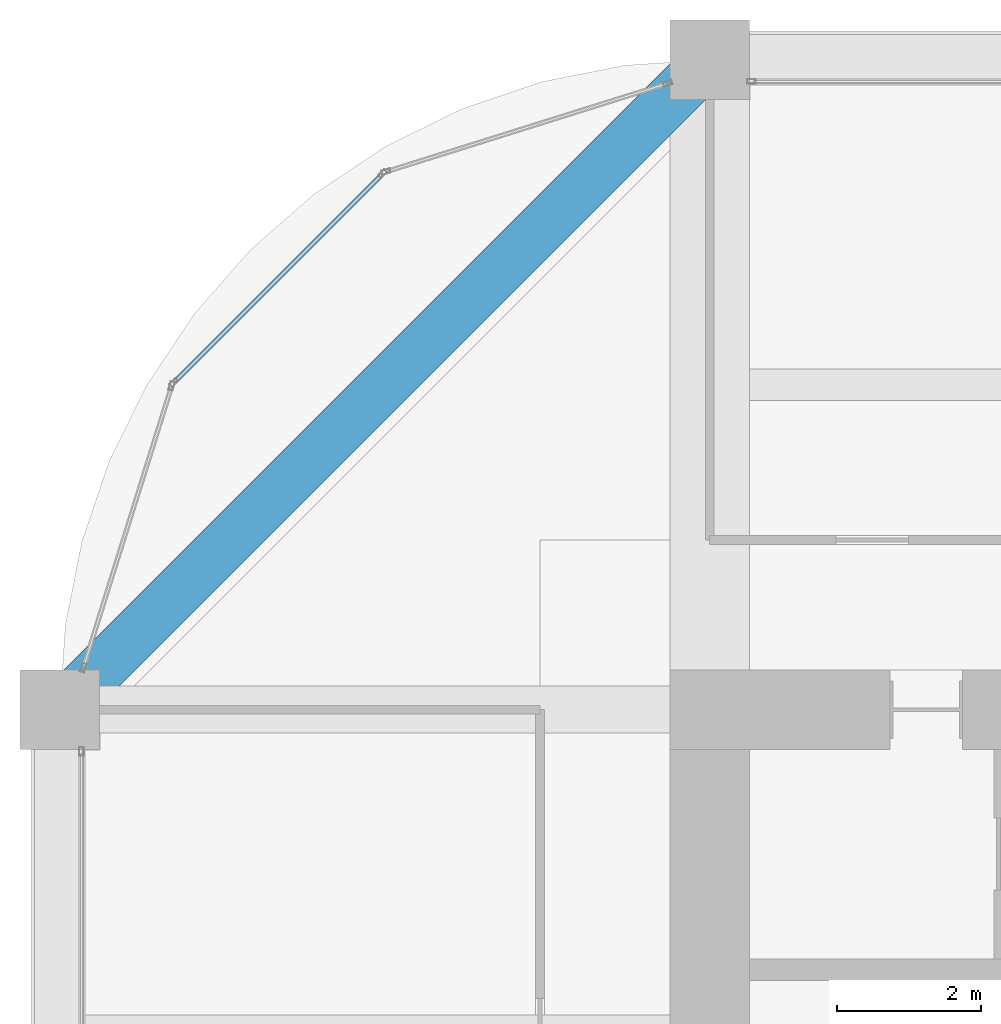
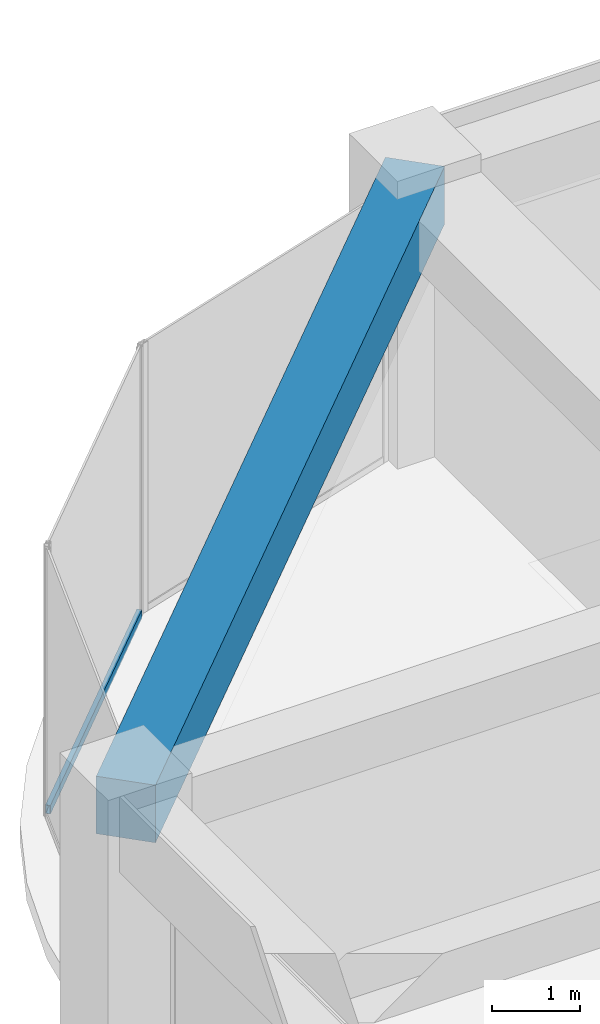
# One storey, part 29 of 44: 1 beam, 1 member, 1 element without a shape of its own.
"""IFC4 building model written with IfcOpenShell, lengths in metres."""

from ifc_helpers import new_model, si_unit, direction, frame, origin, origin_2d, place, context, subcontext, project, spatial, rectangle, hollow_rectangle, extrude, material, material_profile, profile_set, type_object, element, aggregate, save


model = new_model("IFC4")

# Units and contexts
model_context = context("Model", 3, precision=1e-05, world=origin(), true_north=direction((0.0, 1.0)))
body_context = subcontext(model_context, "Body", "Model", "MODEL_VIEW")
ifc_project = project(units=[si_unit("LENGTHUNIT", "METRE"), si_unit("AREAUNIT", "SQUARE_METRE"), si_unit("VOLUMEUNIT", "CUBIC_METRE"), si_unit("PLANEANGLEUNIT", "RADIAN"), si_unit("MASSUNIT", "GRAM", prefix="KILO")], contexts=[model_context])

# Site, building, storey
site_placement = place(None, origin())
site = spatial("IfcSite", under=ifc_project, at=site_placement, CompositionType="ELEMENT")
building_placement = place(site_placement, origin())
building = spatial("IfcBuilding", under=site, at=building_placement, Name="Zorevar Civic Tower", CompositionType="ELEMENT")
storey_placement = place(building_placement, frame((0.0, 0.0, 283.39990234375)))
storey = spatial("IfcBuildingStorey", under=building, at=storey_placement, Name="L69", CompositionType="ELEMENT", Elevation=283.39990234375)

# Curtain wall, member
ifc_material_1 = material(Name="Dark grey solar-control glass in black aluminium frame", Category="aluminium")
curtain_wall_type = type_object("IfcCurtainWallType", Name="Curtain wall CW5 top zone", PredefinedType="NOTDEFINED", material=ifc_material_1)
curtain_wall_placement = place(storey_placement, origin())
curtain_wall = element("IfcCurtainWall", 1, at=curtain_wall_placement, inside=storey, type_object=curtain_wall_type, Name="CW5 L69", PredefinedType="NOTDEFINED")
ifc_material_2 = material(Name="Aluminium, black anodised", Category="aluminium")
ifc_material_profile_1 = material_profile(ifc_material_2, hollow_rectangle(XDim=0.06005859375, YDim=0.1201171875, WallThickness=0.0029296875, at=origin_2d()), Name="AL 120x60x3")
ifc_profile_set_1 = profile_set([ifc_material_profile_1], Name="Aluminium, black anodised")
member_type = type_object("IfcMemberType", Name="CW5 transom AL 120x60x3", PredefinedType="USERDEFINED", material=ifc_profile_set_1)
member_placement = place(storey_placement, frame((13.44970703125, 43.3984375, 0.030029296875), z_axis=(-0.707106781187, -0.707106781187, 0.0), x_axis=(0.707106781187, -0.707106781187, 0.0)))
member = element("IfcMember", 2, at=member_placement, type_object=member_type, Name="CW5 sill transom", ObjectType="TRANSOM", PredefinedType="USERDEFINED", context=body_context, shape_type="SweptSolid", body=[
    extrude(hollow_rectangle(XDim=0.06005859375, YDim=0.1201171875, WallThickness=0.0029296875, at=origin_2d()), origin(), (0.0, 0.0, 1.0), 4.02783203125),
])
aggregate(curtain_wall, [member])

# Beam
ifc_material_3 = material(Name="Concrete C50/60", Category="concrete")
ifc_material_profile_2 = material_profile(ifc_material_3, rectangle(XDim=0.699951171875, YDim=0.800048828125, at=origin_2d()), Name="RC 700x800")
ifc_profile_set_2 = profile_set([ifc_material_profile_2], Name="Concrete C50/60")
beam_type = type_object("IfcBeamType", Name="Edge beam RC 700x800", PredefinedType="SPANDREL", material=ifc_profile_set_2)
beam_placement = place(storey_placement, frame((18.0, 45.0, 3.35009765625), z_axis=(-0.707106781187, -0.707106781187, 0.0), x_axis=(0.707106781187, -0.707106781187, 0.0)))
element("IfcBeam", 3, at=beam_placement, inside=storey, type_object=beam_type, Name="Corner edge beam L70", PredefinedType="SPANDREL", context=body_context, shape_type="SweptSolid", body=[
    extrude(rectangle(XDim=0.699951171875, YDim=0.800048828125, at=origin_2d()), origin(), (0.0, 0.0, 1.0), 12.72802734375),
])

save(model, "model.ifc")
